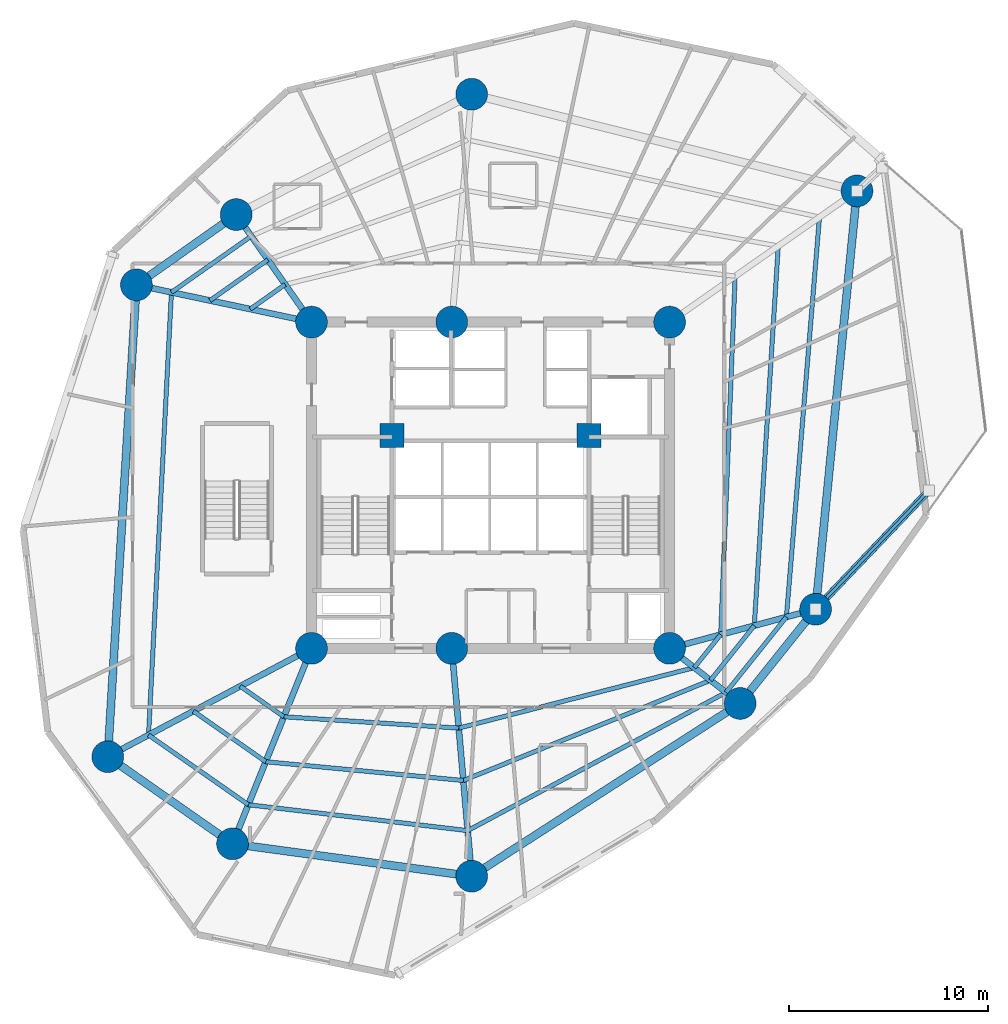
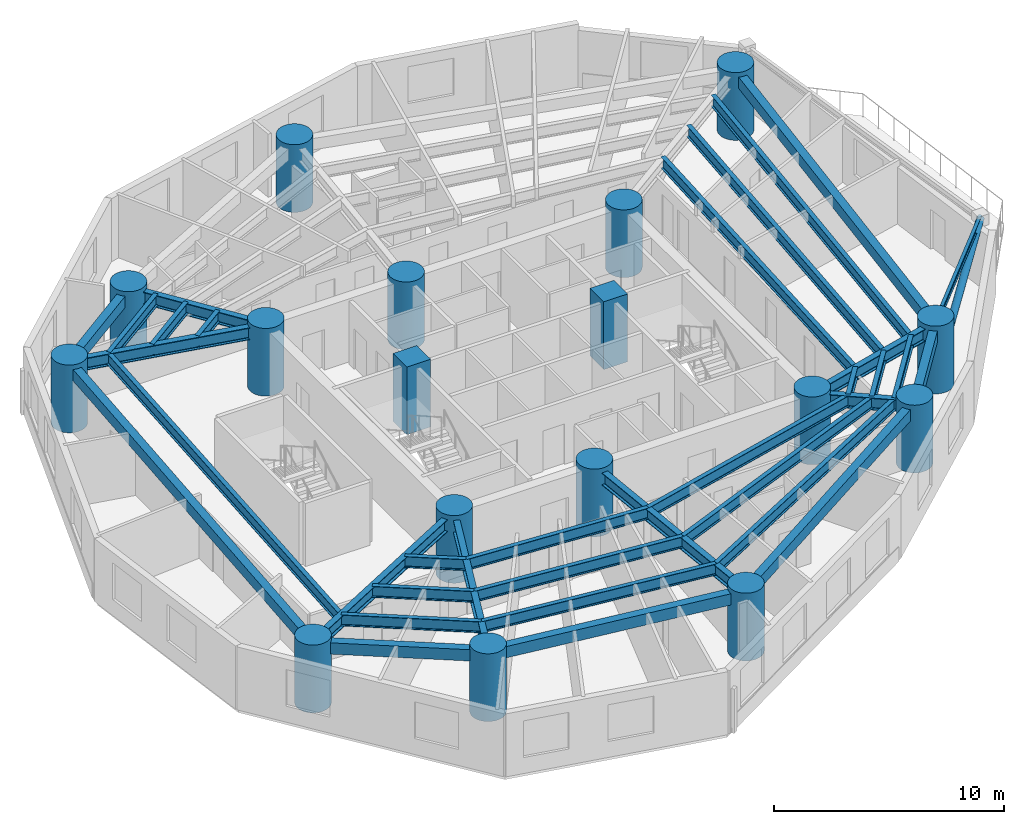
# One storey, part 1 of 10: 34 beams, 17 columns, 1 member.
"""IFC4 building model written with IfcOpenShell, lengths in metres."""

from ifc_helpers import new_model, si_unit, direction, frame, origin, origin_with_axes, origin_2d, place, context, subcontext, project, spatial, rectangle, circle, hollow_circle, i_section, extrude, source, transform, mapped, material, material_profile, profile_set, type_object, element, save


model = new_model("IFC4")

# Units and contexts
model_context = context("Model", 3, precision=1e-05, world=origin(), true_north=direction((0.0, 1.0)))
body_context = subcontext(model_context, "Body", "Model", "MODEL_VIEW")
ifc_project = project(units=[si_unit("LENGTHUNIT", "METRE"), si_unit("AREAUNIT", "SQUARE_METRE"), si_unit("VOLUMEUNIT", "CUBIC_METRE"), si_unit("PLANEANGLEUNIT", "RADIAN"), si_unit("MASSUNIT", "GRAM", prefix="KILO")], contexts=[model_context])

# Site, building, storey
site_placement = place(None, origin())
site = spatial("IfcSite", under=ifc_project, at=site_placement, CompositionType="ELEMENT")
building_placement = place(site_placement, origin())
building = spatial("IfcBuilding", under=site, at=building_placement, Name="Karkom Vertical University and Central Library", CompositionType="ELEMENT")
storey_placement = place(building_placement, frame((0.0, 0.0, 66.10009765625)))
storey = spatial("IfcBuildingStorey", under=building, at=storey_placement, Name="L17", CompositionType="ELEMENT", Elevation=66.10009765625)

# Columns
ifc_material_1 = material(Name="Concrete C50/60", Category="concrete")
ifc_material_profile_1 = material_profile(ifc_material_1, circle(Radius=0.800048828125, at=origin_2d()), Name="CFT-D1600")
ifc_profile_set_1 = profile_set([ifc_material_profile_1], Name="Concrete C50/60")
column_type_1 = type_object("IfcColumnType", Name="STR-COL-C-SC2", PredefinedType="COLUMN", material=ifc_profile_set_1)
shared_shape_1 = source(origin_with_axes(), body_context, "Body", "SweptSolid", [
    extrude(circle(Radius=0.800048828125, at=origin_2d()), origin(), (0.0, 0.0, 1.0), 3.599853515625),
])
for number, where, z_axis, x_axis, name in (
    (1, (19.5, 18.300048828125, 0.0), (0.0, 0.0, 1.0), (1.0, 0.0, 0.0), "Level 17 Spine Mega-Column SC-1"),
    (2, (26.550048828125, 18.300048828125, 0.0), (0.0, 0.0, 1.0), (1.0, 0.0, 0.0), "Level 17 Spine Mega-Column SC-2"),
    (3, (37.5, 18.300048828125, 0.0), (0.0, 0.0, 1.0), (1.0, 0.0, 0.0), "Level 17 Spine Mega-Column SC-3"),
    (4, (19.5, 34.699951171875, 0.0), (0.0, 0.0, 1.0), (1.0, 0.0, 0.0), "Level 17 Spine Mega-Column SC-4"),
    (5, (26.550048828125, 34.699951171875, 0.0), (0.0, 0.0, 1.0), (1.0, 0.0, 0.0), "Level 17 Spine Mega-Column SC-5"),
    (6, (37.5, 34.699951171875, 0.0), (0.0, 0.0, 1.0), (1.0, 0.0, 0.0), "Level 17 Spine Mega-Column SC-6"),
    (7, (44.841064453125, 20.26708984375, 0.0), (0.0, 0.0, 1.0), (1.0, 0.0, 0.0), "Level 17 Perimeter Mega-Column Z1-PC1"),
    (8, (46.919921875, 41.2958984375, 0.0), (0.0, 0.0, 1.0), (1.0, 0.0, 0.0), "Level 17 Perimeter Mega-Column Z1-PC2"),
    (9, (27.552001953125, 46.156005859375, 0.0), (0.0, 0.0, 1.0), (1.0, 0.0, 0.0), "Level 17 Perimeter Mega-Column Z1-PC3"),
    (10, (15.714111328125, 40.10595703125, 0.0), (0.0, 0.0, 1.0), (1.0, 0.0, 0.0), "Level 17 Perimeter Mega-Column Z1-PC4"),
    (11, (10.697021484375, 36.571044921875, 0.0), (0.0, 0.0, 1.0), (1.0, 0.0, 0.0), "Level 17 Perimeter Mega-Column Z1-PC5"),
    (12, (9.258056640625, 12.85400390625, 0.0), (0.0, 0.0, 1.0), (1.0, 0.0, 0.0), "Level 17 Perimeter Mega-Column Z1-PC6"),
    (13, (15.529052734375, 8.471923828125, 0.0), (0.0, 0.0, 1.0), (1.0, 0.0, 0.0), "Level 17 Perimeter Mega-Column Z1-PC7"),
    (14, (27.552001953125, 6.843994140625, 0.0), (0.0, 0.0, 1.0), (1.0, 0.0, 0.0), "Level 17 Perimeter Mega-Column Z1-PC8"),
    (15, (41.0458984375, 15.530029296875, 0.0), (0.0, 0.0, 1.0), (1.0, 0.0, 0.0), "Level 17 Perimeter Mega-Column Z1-PC9"),
):
    element("IfcColumn", number, at=place(storey_placement, frame(where, z_axis=z_axis, x_axis=x_axis)), inside=storey, type_object=column_type_1, Name=name, PredefinedType="COLUMN", context=body_context, shape_type="MappedRepresentation", body=[
        mapped(shared_shape_1, transform((0.0, 0.0, 0.0), scale=1.0)),
    ])
ifc_material_profile_2 = material_profile(ifc_material_1, rectangle(XDim=1.199951171875, YDim=1.199951171875, at=origin_2d()), Name="RC-1200x1200")
ifc_profile_set_2 = profile_set([ifc_material_profile_2], Name="Concrete C50/60")
column_type_2 = type_object("IfcColumnType", Name="STR-COL-C-CC1", PredefinedType="COLUMN", material=ifc_profile_set_2)
shared_shape_2 = source(origin_with_axes(), body_context, "Body", "SweptSolid", [
    extrude(rectangle(XDim=1.199951171875, YDim=1.199951171875, at=origin_2d()), origin(), (0.0, 0.0, 1.0), 3.599853515625),
])
for number, where, z_axis, x_axis, name in (
    (16, (23.550048828125, 29.0, 0.0), (0.0, 0.0, 1.0), (1.0, 0.0, 0.0), "Level 17 Core Node Column CC-1"),
    (17, (33.449951171875, 29.0, 0.0), (0.0, 0.0, 1.0), (1.0, 0.0, 0.0), "Level 17 Core Node Column CC-2"),
):
    element("IfcColumn", number, at=place(storey_placement, frame(where, z_axis=z_axis, x_axis=x_axis)), inside=storey, type_object=column_type_2, Name=name, PredefinedType="COLUMN", context=body_context, shape_type="MappedRepresentation", body=[
        mapped(shared_shape_2, transform((0.0, 0.0, 0.0), scale=1.0)),
    ])

# Beams
ifc_material_2 = material(Name="Steel S355", Category="steel")
ifc_material_profile_3 = material_profile(ifc_material_2, i_section(OverallWidth=0.300048828125, OverallDepth=0.64990234375, WebThickness=0.01611328125, FlangeThickness=0.031005859375, FilletRadius=0.027099609375, at=origin_2d()), Name="HE 650 B")
ifc_profile_set_3 = profile_set([ifc_material_profile_3], Name="Steel S355")
beam_type_1 = type_object("IfcBeamType", Name="STR-BM-SB-HE650", PredefinedType="USERDEFINED", material=ifc_profile_set_3)
shared_shape_3 = source(origin_with_axes(), body_context, "Body", "SweptSolid", [
    extrude(i_section(OverallWidth=0.300048828125, OverallDepth=0.64990234375, WebThickness=0.01611328125, FlangeThickness=0.031005859375, FilletRadius=0.027099609375, at=origin_2d()), origin(), (0.0, 0.0, 1.0), 7.60009765625),
])
beam_1_placement = place(storey_placement, frame((37.5, 18.300048828125, 3.02490234375), z_axis=(0.965925539322, 0.258820116077, 0.0), x_axis=(-0.258820116077, 0.965925539322, 0.0)))
element("IfcBeam", 18, at=beam_1_placement, inside=storey, type_object=beam_type_1, Name="Level 17 Radial Frame Girder 01", ObjectType="GIRDER", PredefinedType="USERDEFINED", context=body_context, shape_type="MappedRepresentation", body=[
    mapped(shared_shape_3, transform((0.0, 0.0, 0.0), scale=1.0)),
])
shared_shape_4 = source(origin_with_axes(), body_context, "Body", "SweptSolid", [
    extrude(i_section(OverallWidth=0.300048828125, OverallDepth=0.64990234375, WebThickness=0.01611328125, FlangeThickness=0.031005859375, FilletRadius=0.027099609375, at=origin_2d()), origin(), (0.0, 0.0, 1.0), 11.499755859375),
])
beam_2_placement = place(storey_placement, frame((26.550048828125, 18.300048828125, 3.02490234375), z_axis=(0.087127973109, -0.99619712723, 0.0), x_axis=(0.99619712723, 0.087127973109, 0.0)))
element("IfcBeam", 19, at=beam_2_placement, inside=storey, type_object=beam_type_1, Name="Level 17 Radial Frame Girder 08", ObjectType="GIRDER", PredefinedType="USERDEFINED", context=body_context, shape_type="MappedRepresentation", body=[
    mapped(shared_shape_4, transform((0.0, 0.0, 0.0), scale=1.0)),
])
shared_shape_5 = source(origin_with_axes(), body_context, "Body", "SweptSolid", [
    extrude(i_section(OverallWidth=0.300048828125, OverallDepth=0.64990234375, WebThickness=0.01611328125, FlangeThickness=0.031005859375, FilletRadius=0.027099609375, at=origin_2d()), origin(), (0.0, 0.0, 1.0), 6.599853515625),
])
beam_3_placement = place(storey_placement, frame((19.5, 34.699951171875, 3.02490234375), z_axis=(-0.573633636671, 0.819111989218, 0.0), x_axis=(-0.819111989218, -0.573633636671, 0.0)))
element("IfcBeam", 20, at=beam_3_placement, inside=storey, type_object=beam_type_1, Name="Level 17 Radial Frame Girder 04", ObjectType="GIRDER", PredefinedType="USERDEFINED", context=body_context, shape_type="MappedRepresentation", body=[
    mapped(shared_shape_5, transform((0.0, 0.0, 0.0), scale=1.0)),
])
shared_shape_6 = source(origin_with_axes(), body_context, "Body", "SweptSolid", [
    extrude(i_section(OverallWidth=0.300048828125, OverallDepth=0.64990234375, WebThickness=0.01611328125, FlangeThickness=0.031005859375, FilletRadius=0.027099609375, at=origin_2d()), origin(), (0.0, 0.0, 1.0), 8.999755859375),
])
beam_4_placement = place(storey_placement, frame((19.5, 34.699951171875, 3.02490234375), z_axis=(-0.978148438993, 0.207907747079, 0.0), x_axis=(-0.207907747079, -0.978148438993, 0.0)))
element("IfcBeam", 21, at=beam_4_placement, inside=storey, type_object=beam_type_1, Name="Level 17 Radial Frame Girder 05", ObjectType="GIRDER", PredefinedType="USERDEFINED", context=body_context, shape_type="MappedRepresentation", body=[
    mapped(shared_shape_6, transform((0.0, 0.0, 0.0), scale=1.0)),
])
shared_shape_7 = source(origin_with_axes(), body_context, "Body", "SweptSolid", [
    extrude(i_section(OverallWidth=0.300048828125, OverallDepth=0.64990234375, WebThickness=0.01611328125, FlangeThickness=0.031005859375, FilletRadius=0.027099609375, at=origin_2d()), origin(), (0.0, 0.0, 1.0), 11.599853515625),
])
beam_5_placement = place(storey_placement, frame((19.5, 18.300048828125, 3.02490234375), z_axis=(-0.882936620635, -0.469492197957, 0.0), x_axis=(0.469492197957, -0.882936620635, 0.0)))
element("IfcBeam", 22, at=beam_5_placement, inside=storey, type_object=beam_type_1, Name="Level 17 Radial Frame Girder 06", ObjectType="GIRDER", PredefinedType="USERDEFINED", context=body_context, shape_type="MappedRepresentation", body=[
    mapped(shared_shape_7, transform((0.0, 0.0, 0.0), scale=1.0)),
])
shared_shape_8 = source(origin_with_axes(), body_context, "Body", "SweptSolid", [
    extrude(i_section(OverallWidth=0.300048828125, OverallDepth=0.64990234375, WebThickness=0.01611328125, FlangeThickness=0.031005859375, FilletRadius=0.027099609375, at=origin_2d()), origin(), (0.0, 0.0, 1.0), 10.60009765625),
])
beam_6_placement = place(storey_placement, frame((19.5, 18.300048828125, 3.02490234375), z_axis=(-0.374616894394, -0.927179692635, 0.0), x_axis=(0.927179692635, -0.374616894394, 0.0)))
element("IfcBeam", 23, at=beam_6_placement, inside=storey, type_object=beam_type_1, Name="Level 17 Radial Frame Girder 07", ObjectType="GIRDER", PredefinedType="USERDEFINED", context=body_context, shape_type="MappedRepresentation", body=[
    mapped(shared_shape_8, transform((0.0, 0.0, 0.0), scale=1.0)),
])
shared_shape_9 = source(origin_with_axes(), body_context, "Body", "SweptSolid", [
    extrude(i_section(OverallWidth=0.300048828125, OverallDepth=0.64990234375, WebThickness=0.01611328125, FlangeThickness=0.031005859375, FilletRadius=0.027099609375, at=origin_2d()), origin(), (0.0, 0.0, 1.0), 4.49951171875),
])
beam_7_placement = place(storey_placement, frame((37.5, 18.300048828125, 3.02490234375), z_axis=(0.788047405801, -0.615614559778, 0.0), x_axis=(0.615614559778, 0.788047405801, 0.0)))
element("IfcBeam", 24, at=beam_7_placement, inside=storey, type_object=beam_type_1, Name="Level 17 Radial Frame Girder 09", ObjectType="GIRDER", PredefinedType="USERDEFINED", context=body_context, shape_type="MappedRepresentation", body=[
    mapped(shared_shape_9, transform((0.0, 0.0, 0.0), scale=1.0)),
])
ifc_material_3 = material(Name="Precast concrete C45/55", Category="concrete")
ifc_material_profile_4 = material_profile(ifc_material_3, rectangle(XDim=0.39990234375, YDim=0.60009765625, at=origin_2d()), Name="SPB-400x600")
ifc_profile_set_4 = profile_set([ifc_material_profile_4], Name="Precast concrete C45/55")
beam_type_2 = type_object("IfcBeamType", Name="STR-BM-SP-1", PredefinedType="SPANDREL", material=ifc_profile_set_4)
shared_shape_10 = source(origin_with_axes(), body_context, "Body", "SweptSolid", [
    extrude(rectangle(XDim=0.39990234375, YDim=0.60009765625, at=origin_2d()), origin(), (0.0, 0.0, 1.0), 21.13134765625),
])
beam_8_placement = place(storey_placement, frame((44.841064453125, 20.26708984375, 3.0498046875), z_axis=(0.0983780471, 0.995149114379, 0.0), x_axis=(-0.995149114379, 0.0983780471, 0.0)))
element("IfcBeam", 25, at=beam_8_placement, inside=storey, type_object=beam_type_2, Name="Level 17 Perimeter Spandrel Beam 01", PredefinedType="SPANDREL", context=body_context, shape_type="MappedRepresentation", body=[
    mapped(shared_shape_10, transform((0.0, 0.0, 0.0), scale=1.0)),
])
shared_shape_11 = source(origin_with_axes(), body_context, "Body", "SweptSolid", [
    extrude(rectangle(XDim=0.39990234375, YDim=0.60009765625, at=origin_2d()), origin(), (0.0, 0.0, 1.0), 6.13720703125),
])
beam_9_placement = place(storey_placement, frame((15.714111328125, 40.10595703125, 3.0498046875), z_axis=(-0.817471365538, -0.575969240955, 0.0), x_axis=(0.575969240955, -0.817471365538, 0.0)))
element("IfcBeam", 26, at=beam_9_placement, inside=storey, type_object=beam_type_2, Name="Level 17 Perimeter Spandrel Beam 04", PredefinedType="SPANDREL", context=body_context, shape_type="MappedRepresentation", body=[
    mapped(shared_shape_11, transform((0.0, 0.0, 0.0), scale=1.0)),
])
shared_shape_12 = source(origin_with_axes(), body_context, "Body", "SweptSolid", [
    extrude(rectangle(XDim=0.39990234375, YDim=0.60009765625, at=origin_2d()), origin(), (0.0, 0.0, 1.0), 23.7607421875),
])
beam_10_placement = place(storey_placement, frame((10.697021484375, 36.571044921875, 3.0498046875), z_axis=(-0.060560827767, -0.998164508556, 0.0), x_axis=(0.998164508556, -0.060560827767, 0.0)))
element("IfcBeam", 27, at=beam_10_placement, inside=storey, type_object=beam_type_2, Name="Level 17 Perimeter Spandrel Beam 05", PredefinedType="SPANDREL", context=body_context, shape_type="MappedRepresentation", body=[
    mapped(shared_shape_12, transform((0.0, 0.0, 0.0), scale=1.0)),
])
shared_shape_13 = source(origin_with_axes(), body_context, "Body", "SweptSolid", [
    extrude(rectangle(XDim=0.39990234375, YDim=0.60009765625, at=origin_2d()), origin(), (0.0, 0.0, 1.0), 7.650390625),
])
beam_11_placement = place(storey_placement, frame((9.258056640625, 12.85400390625, 3.0498046875), z_axis=(0.819699409527, -0.572793922822, 0.0), x_axis=(0.572793922822, 0.819699409527, 0.0)))
element("IfcBeam", 28, at=beam_11_placement, inside=storey, type_object=beam_type_2, Name="Level 17 Perimeter Spandrel Beam 06", PredefinedType="SPANDREL", context=body_context, shape_type="MappedRepresentation", body=[
    mapped(shared_shape_13, transform((0.0, 0.0, 0.0), scale=1.0)),
])
shared_shape_14 = source(origin_with_axes(), body_context, "Body", "SweptSolid", [
    extrude(rectangle(XDim=0.39990234375, YDim=0.60009765625, at=origin_2d()), origin(), (0.0, 0.0, 1.0), 12.132568359375),
])
beam_12_placement = place(storey_placement, frame((15.529052734375, 8.471923828125, 3.0498046875), z_axis=(0.990957319008, -0.134177464223, 0.0), x_axis=(0.134177464223, 0.990957319008, 0.0)))
element("IfcBeam", 29, at=beam_12_placement, inside=storey, type_object=beam_type_2, Name="Level 17 Perimeter Spandrel Beam 07", PredefinedType="SPANDREL", context=body_context, shape_type="MappedRepresentation", body=[
    mapped(shared_shape_14, transform((0.0, 0.0, 0.0), scale=1.0)),
])
shared_shape_15 = source(origin_with_axes(), body_context, "Body", "SweptSolid", [
    extrude(rectangle(XDim=0.39990234375, YDim=0.60009765625, at=origin_2d()), origin(), (0.0, 0.0, 1.0), 16.0478515625),
])
beam_13_placement = place(storey_placement, frame((27.552001953125, 6.843994140625, 3.0498046875), z_axis=(0.84085555045, 0.541259589548, 0.0), x_axis=(-0.541259589548, 0.84085555045, 0.0)))
element("IfcBeam", 30, at=beam_13_placement, inside=storey, type_object=beam_type_2, Name="Level 17 Perimeter Spandrel Beam 08", PredefinedType="SPANDREL", context=body_context, shape_type="MappedRepresentation", body=[
    mapped(shared_shape_15, transform((0.0, 0.0, 0.0), scale=1.0)),
])
shared_shape_16 = source(origin_with_axes(), body_context, "Body", "SweptSolid", [
    extrude(rectangle(XDim=0.39990234375, YDim=0.60009765625, at=origin_2d()), origin(), (0.0, 0.0, 1.0), 6.06982421875),
])
beam_14_placement = place(storey_placement, frame((41.0458984375, 15.530029296875, 3.0498046875), z_axis=(0.625249167344, 0.780425190992, 0.0), x_axis=(-0.780425190992, 0.625249167344, 0.0)))
element("IfcBeam", 31, at=beam_14_placement, inside=storey, type_object=beam_type_2, Name="Level 17 Perimeter Spandrel Beam 09", PredefinedType="SPANDREL", context=body_context, shape_type="MappedRepresentation", body=[
    mapped(shared_shape_16, transform((0.0, 0.0, 0.0), scale=1.0)),
])
ifc_material_profile_5 = material_profile(ifc_material_2, i_section(OverallWidth=0.219970703125, OverallDepth=0.60009765625, WebThickness=0.011962890625, FlangeThickness=0.01904296875, FilletRadius=0.02392578125, at=origin_2d()), Name="IPE 600")
ifc_profile_set_5 = profile_set([ifc_material_profile_5], Name="Steel S355")
beam_type_3 = type_object("IfcBeamType", Name="STR-BM-SB-IPE600", PredefinedType="BEAM", material=ifc_profile_set_5)
shared_shape_17 = source(origin_with_axes(), body_context, "Body", "SweptSolid", [
    extrude(i_section(OverallWidth=0.219970703125, OverallDepth=0.60009765625, WebThickness=0.011962890625, FlangeThickness=0.01904296875, FilletRadius=0.02392578125, at=origin_2d()), origin(), (0.0, 0.0, 1.0), 18.03466796875),
])
beam_15_placement = place(storey_placement, frame((40.0693359375, 18.988525390625, 3.0498046875), z_axis=(0.04035458262, 0.999185422062, 0.0), x_axis=(-0.999185422062, 0.04035458262, 0.0)))
element("IfcBeam", 32, at=beam_15_placement, inside=storey, type_object=beam_type_3, Name="Level 17 Secondary Composite Floor Beam 1.01", PredefinedType="BEAM", context=body_context, shape_type="MappedRepresentation", body=[
    mapped(shared_shape_17, transform((0.0, 0.0, 0.0), scale=1.0)),
])
shared_shape_18 = source(origin_with_axes(), body_context, "Body", "SweptSolid", [
    extrude(i_section(OverallWidth=0.219970703125, OverallDepth=0.60009765625, WebThickness=0.011962890625, FlangeThickness=0.01904296875, FilletRadius=0.02392578125, at=origin_2d()), origin(), (0.0, 0.0, 1.0), 2.14794921875),
])
beam_16_placement = place(storey_placement, frame((18.1748046875, 36.592041015625, 3.0498046875), z_axis=(-0.817433780971, -0.576022580918, 0.0), x_axis=(0.576022580918, -0.817433780971, 0.0)))
element("IfcBeam", 33, at=beam_16_placement, inside=storey, type_object=beam_type_3, Name="Level 17 Secondary Composite Floor Beam 1.04", PredefinedType="BEAM", context=body_context, shape_type="MappedRepresentation", body=[
    mapped(shared_shape_18, transform((0.0, 0.0, 0.0), scale=1.0)),
])
shared_shape_19 = source(origin_with_axes(), body_context, "Body", "SweptSolid", [
    extrude(i_section(OverallWidth=0.219970703125, OverallDepth=0.60009765625, WebThickness=0.011962890625, FlangeThickness=0.01904296875, FilletRadius=0.02392578125, at=origin_2d()), origin(), (0.0, 0.0, 1.0), 2.677490234375),
])
beam_17_placement = place(storey_placement, frame((15.915283203125, 16.393798828125, 3.0498046875), z_axis=(0.819702839548, -0.572789014243, 0.0), x_axis=(0.572789014243, 0.819702839548, 0.0)))
element("IfcBeam", 34, at=beam_17_placement, inside=storey, type_object=beam_type_3, Name="Level 17 Secondary Composite Floor Beam 1.06", PredefinedType="BEAM", context=body_context, shape_type="MappedRepresentation", body=[
    mapped(shared_shape_19, transform((0.0, 0.0, 0.0), scale=1.0)),
])
shared_shape_20 = source(origin_with_axes(), body_context, "Body", "SweptSolid", [
    extrude(i_section(OverallWidth=0.219970703125, OverallDepth=0.60009765625, WebThickness=0.011962890625, FlangeThickness=0.01904296875, FilletRadius=0.02392578125, at=origin_2d()), origin(), (0.0, 0.0, 1.0), 8.80908203125),
])
beam_18_placement = place(storey_placement, frame((18.110107421875, 14.860107421875, 3.0498046875), z_axis=(0.997905617906, -0.064686766433, 0.0), x_axis=(0.064686766433, 0.997905617906, 0.0)))
element("IfcBeam", 35, at=beam_18_placement, inside=storey, type_object=beam_type_3, Name="Level 17 Secondary Composite Floor Beam 1.07", PredefinedType="BEAM", context=body_context, shape_type="MappedRepresentation", body=[
    mapped(shared_shape_20, transform((0.0, 0.0, 0.0), scale=1.0)),
])
shared_shape_21 = source(origin_with_axes(), body_context, "Body", "SweptSolid", [
    extrude(i_section(OverallWidth=0.219970703125, OverallDepth=0.60009765625, WebThickness=0.011962890625, FlangeThickness=0.01904296875, FilletRadius=0.02392578125, at=origin_2d()), origin(), (0.0, 0.0, 1.0), 12.224609375),
])
beam_19_placement = place(storey_placement, frame((26.900634765625, 14.290283203125, 3.0498046875), z_axis=(0.968580403264, 0.248700628092, 0.0), x_axis=(-0.248700628092, 0.968580403264, 0.0)))
element("IfcBeam", 36, at=beam_19_placement, inside=storey, type_object=beam_type_3, Name="Level 17 Secondary Composite Floor Beam 1.08", PredefinedType="BEAM", context=body_context, shape_type="MappedRepresentation", body=[
    mapped(shared_shape_21, transform((0.0, 0.0, 0.0), scale=1.0)),
])
shared_shape_22 = source(origin_with_axes(), body_context, "Body", "SweptSolid", [
    extrude(i_section(OverallWidth=0.219970703125, OverallDepth=0.60009765625, WebThickness=0.011962890625, FlangeThickness=0.01904296875, FilletRadius=0.02392578125, at=origin_2d()), origin(), (0.0, 0.0, 1.0), 2.124267578125),
])
beam_20_placement = place(storey_placement, frame((38.7412109375, 17.33056640625, 3.0498046875), z_axis=(0.625199471959, 0.780465002587, 0.0), x_axis=(-0.780465002587, 0.625199471959, 0.0)))
element("IfcBeam", 37, at=beam_20_placement, inside=storey, type_object=beam_type_3, Name="Level 17 Secondary Composite Floor Beam 1.09", PredefinedType="BEAM", context=body_context, shape_type="MappedRepresentation", body=[
    mapped(shared_shape_22, transform((0.0, 0.0, 0.0), scale=1.0)),
])
shared_shape_23 = source(origin_with_axes(), body_context, "Body", "SweptSolid", [
    extrude(i_section(OverallWidth=0.219970703125, OverallDepth=0.60009765625, WebThickness=0.011962890625, FlangeThickness=0.01904296875, FilletRadius=0.02392578125, at=origin_2d()), origin(), (0.0, 0.0, 1.0), 19.122802734375),
])
beam_21_placement = place(storey_placement, frame((41.7578125, 19.44091796875, 3.0498046875), z_axis=(0.063056264597, 0.998009973645, 0.0), x_axis=(-0.998009973645, 0.063056264597, 0.0)))
element("IfcBeam", 38, at=beam_21_placement, inside=storey, type_object=beam_type_3, Name="Level 17 Secondary Composite Floor Beam 2.01", PredefinedType="BEAM", context=body_context, shape_type="MappedRepresentation", body=[
    mapped(shared_shape_23, transform((0.0, 0.0, 0.0), scale=1.0)),
])
shared_shape_24 = source(origin_with_axes(), body_context, "Body", "SweptSolid", [
    extrude(i_section(OverallWidth=0.219970703125, OverallDepth=0.60009765625, WebThickness=0.011962890625, FlangeThickness=0.01904296875, FilletRadius=0.02392578125, at=origin_2d()), origin(), (0.0, 0.0, 1.0), 3.5595703125),
])
beam_22_placement = place(storey_placement, frame((17.30419921875, 37.83544921875, 3.0498046875), z_axis=(-0.817465552849, -0.575977490798, 0.0), x_axis=(0.575977490798, -0.817465552849, 0.0)))
element("IfcBeam", 39, at=beam_22_placement, inside=storey, type_object=beam_type_3, Name="Level 17 Secondary Composite Floor Beam 2.04", PredefinedType="BEAM", context=body_context, shape_type="MappedRepresentation", body=[
    mapped(shared_shape_24, transform((0.0, 0.0, 0.0), scale=1.0)),
])
shared_shape_25 = source(origin_with_axes(), body_context, "Body", "SweptSolid", [
    extrude(i_section(OverallWidth=0.219970703125, OverallDepth=0.60009765625, WebThickness=0.011962890625, FlangeThickness=0.01904296875, FilletRadius=0.02392578125, at=origin_2d()), origin(), (0.0, 0.0, 1.0), 4.437255859375),
])
beam_23_placement = place(storey_placement, frame((13.5595703125, 15.141357421875, 3.0498046875), z_axis=(0.819712425733, -0.572775295468, 0.0), x_axis=(0.572775295468, 0.819712425733, 0.0)))
element("IfcBeam", 40, at=beam_23_placement, inside=storey, type_object=beam_type_3, Name="Level 17 Secondary Composite Floor Beam 2.06", PredefinedType="BEAM", context=body_context, shape_type="MappedRepresentation", body=[
    mapped(shared_shape_25, transform((0.0, 0.0, 0.0), scale=1.0)),
])
shared_shape_26 = source(origin_with_axes(), body_context, "Body", "SweptSolid", [
    extrude(i_section(OverallWidth=0.219970703125, OverallDepth=0.60009765625, WebThickness=0.011962890625, FlangeThickness=0.01904296875, FilletRadius=0.02392578125, at=origin_2d()), origin(), (0.0, 0.0, 1.0), 9.97900390625),
])
beam_24_placement = place(storey_placement, frame((17.19677734375, 12.599853515625, 3.0498046875), z_axis=(0.995512389915, -0.094631292526, 0.0), x_axis=(0.094631292526, 0.995512389915, 0.0)))
element("IfcBeam", 41, at=beam_24_placement, inside=storey, type_object=beam_type_3, Name="Level 17 Secondary Composite Floor Beam 2.07", PredefinedType="BEAM", context=body_context, shape_type="MappedRepresentation", body=[
    mapped(shared_shape_26, transform((0.0, 0.0, 0.0), scale=1.0)),
])
shared_shape_27 = source(origin_with_axes(), body_context, "Body", "SweptSolid", [
    extrude(i_section(OverallWidth=0.219970703125, OverallDepth=0.60009765625, WebThickness=0.011962890625, FlangeThickness=0.01904296875, FilletRadius=0.02392578125, at=origin_2d()), origin(), (0.0, 0.0, 1.0), 13.407958984375),
])
beam_25_placement = place(storey_placement, frame((27.131103515625, 11.655517578125, 3.0498046875), z_axis=(0.926727273371, 0.375734694685, 0.0), x_axis=(-0.375734694685, 0.926727273371, 0.0)))
element("IfcBeam", 42, at=beam_25_placement, inside=storey, type_object=beam_type_3, Name="Level 17 Secondary Composite Floor Beam 2.08", PredefinedType="BEAM", context=body_context, shape_type="MappedRepresentation", body=[
    mapped(shared_shape_27, transform((0.0, 0.0, 0.0), scale=1.0)),
])
shared_shape_28 = source(origin_with_axes(), body_context, "Body", "SweptSolid", [
    extrude(i_section(OverallWidth=0.219970703125, OverallDepth=0.60009765625, WebThickness=0.011962890625, FlangeThickness=0.01904296875, FilletRadius=0.02392578125, at=origin_2d()), origin(), (0.0, 0.0, 1.0), 3.5205078125),
])
beam_26_placement = place(storey_placement, frame((39.556640625, 16.693359375, 3.0498046875), z_axis=(0.62523614548, 0.780435623473, 0.0), x_axis=(-0.780435623473, 0.62523614548, 0.0)))
element("IfcBeam", 43, at=beam_26_placement, inside=storey, type_object=beam_type_3, Name="Level 17 Secondary Composite Floor Beam 2.09", PredefinedType="BEAM", context=body_context, shape_type="MappedRepresentation", body=[
    mapped(shared_shape_28, transform((0.0, 0.0, 0.0), scale=1.0)),
])
shared_shape_29 = source(origin_with_axes(), body_context, "Body", "SweptSolid", [
    extrude(i_section(OverallWidth=0.219970703125, OverallDepth=0.60009765625, WebThickness=0.011962890625, FlangeThickness=0.01904296875, FilletRadius=0.02392578125, at=origin_2d()), origin(), (0.0, 0.0, 1.0), 20.171875),
])
beam_27_placement = place(storey_placement, frame((43.372802734375, 19.87353515625, 3.0498046875), z_axis=(0.082445490935, 0.996595575459, 0.0), x_axis=(-0.996595575459, 0.082445490935, 0.0)))
element("IfcBeam", 44, at=beam_27_placement, inside=storey, type_object=beam_type_3, Name="Level 17 Secondary Composite Floor Beam 3.01", PredefinedType="BEAM", context=body_context, shape_type="MappedRepresentation", body=[
    mapped(shared_shape_29, transform((0.0, 0.0, 0.0), scale=1.0)),
])
shared_shape_30 = source(origin_with_axes(), body_context, "Body", "SweptSolid", [
    extrude(i_section(OverallWidth=0.219970703125, OverallDepth=0.60009765625, WebThickness=0.011962890625, FlangeThickness=0.01904296875, FilletRadius=0.02392578125, at=origin_2d()), origin(), (0.0, 0.0, 1.0), 4.909912109375),
])
beam_28_placement = place(storey_placement, frame((16.47119140625, 39.02490234375, 3.0498046875), z_axis=(-0.817452635759, -0.575995823153, 0.0), x_axis=(0.575995823153, -0.817452635759, 0.0)))
element("IfcBeam", 45, at=beam_28_placement, inside=storey, type_object=beam_type_3, Name="Level 17 Secondary Composite Floor Beam 3.04", PredefinedType="BEAM", context=body_context, shape_type="MappedRepresentation", body=[
    mapped(shared_shape_30, transform((0.0, 0.0, 0.0), scale=1.0)),
])
shared_shape_31 = source(origin_with_axes(), body_context, "Body", "SweptSolid", [
    extrude(i_section(OverallWidth=0.219970703125, OverallDepth=0.60009765625, WebThickness=0.011962890625, FlangeThickness=0.01904296875, FilletRadius=0.02392578125, at=origin_2d()), origin(), (0.0, 0.0, 1.0), 22.283447265625),
])
beam_29_placement = place(storey_placement, frame((12.45751953125, 36.19677734375, 3.0498046875), z_axis=(-0.051658288147, -0.998664819279, 0.0), x_axis=(0.998664819279, -0.051658288147, 0.0)))
element("IfcBeam", 46, at=beam_29_placement, inside=storey, type_object=beam_type_3, Name="Level 17 Secondary Composite Floor Beam 3.05", PredefinedType="BEAM", context=body_context, shape_type="MappedRepresentation", body=[
    mapped(shared_shape_31, transform((0.0, 0.0, 0.0), scale=1.0)),
])
shared_shape_32 = source(origin_with_axes(), body_context, "Body", "SweptSolid", [
    extrude(i_section(OverallWidth=0.219970703125, OverallDepth=0.60009765625, WebThickness=0.011962890625, FlangeThickness=0.01904296875, FilletRadius=0.02392578125, at=origin_2d()), origin(), (0.0, 0.0, 1.0), 6.120361328125),
])
beam_30_placement = place(storey_placement, frame((11.306396484375, 13.943115234375, 3.0498046875), z_axis=(0.81970577287, -0.572784816422, 0.0), x_axis=(0.572784816422, 0.81970577287, 0.0)))
element("IfcBeam", 47, at=beam_30_placement, inside=storey, type_object=beam_type_3, Name="Level 17 Secondary Composite Floor Beam 3.06", PredefinedType="BEAM", context=body_context, shape_type="MappedRepresentation", body=[
    mapped(shared_shape_32, transform((0.0, 0.0, 0.0), scale=1.0)),
])
shared_shape_33 = source(origin_with_axes(), body_context, "Body", "SweptSolid", [
    extrude(i_section(OverallWidth=0.219970703125, OverallDepth=0.60009765625, WebThickness=0.011962890625, FlangeThickness=0.01904296875, FilletRadius=0.02392578125, at=origin_2d()), origin(), (0.0, 0.0, 1.0), 11.10498046875),
])
beam_31_placement = place(storey_placement, frame((16.3232421875, 10.4375, 3.0498046875), z_axis=(0.993100390447, -0.117267278018, 0.0), x_axis=(0.117267278018, 0.993100390447, 0.0)))
element("IfcBeam", 48, at=beam_31_placement, inside=storey, type_object=beam_type_3, Name="Level 17 Secondary Composite Floor Beam 3.07", PredefinedType="BEAM", context=body_context, shape_type="MappedRepresentation", body=[
    mapped(shared_shape_33, transform((0.0, 0.0, 0.0), scale=1.0)),
])
shared_shape_34 = source(origin_with_axes(), body_context, "Body", "SweptSolid", [
    extrude(i_section(OverallWidth=0.219970703125, OverallDepth=0.60009765625, WebThickness=0.011962890625, FlangeThickness=0.01904296875, FilletRadius=0.02392578125, at=origin_2d()), origin(), (0.0, 0.0, 1.0), 14.727783203125),
])
beam_32_placement = place(storey_placement, frame((27.3515625, 9.13525390625, 3.0498046875), z_axis=(0.881697726656, 0.471814708131, 0.0), x_axis=(-0.471814708131, 0.881697726656, 0.0)))
element("IfcBeam", 49, at=beam_32_placement, inside=storey, type_object=beam_type_3, Name="Level 17 Secondary Composite Floor Beam 3.08", PredefinedType="BEAM", context=body_context, shape_type="MappedRepresentation", body=[
    mapped(shared_shape_34, transform((0.0, 0.0, 0.0), scale=1.0)),
])
shared_shape_35 = source(origin_with_axes(), body_context, "Body", "SweptSolid", [
    extrude(i_section(OverallWidth=0.219970703125, OverallDepth=0.60009765625, WebThickness=0.011962890625, FlangeThickness=0.01904296875, FilletRadius=0.02392578125, at=origin_2d()), origin(), (0.0, 0.0, 1.0), 4.855712890625),
])
beam_33_placement = place(storey_placement, frame((40.3369140625, 16.083984375, 3.0498046875), z_axis=(0.62522835738, 0.780441862747, 0.0), x_axis=(-0.780441862747, 0.62522835738, 0.0)))
element("IfcBeam", 50, at=beam_33_placement, inside=storey, type_object=beam_type_3, Name="Level 17 Secondary Composite Floor Beam 3.09", PredefinedType="BEAM", context=body_context, shape_type="MappedRepresentation", body=[
    mapped(shared_shape_35, transform((0.0, 0.0, 0.0), scale=1.0)),
])
ifc_material_profile_6 = material_profile(ifc_material_2, i_section(OverallWidth=0.159912109375, OverallDepth=0.330078125, WebThickness=0.007568359375, FlangeThickness=0.011474609375, FilletRadius=0.01806640625, at=origin_2d()), Name="IPE 330")
ifc_profile_set_6 = profile_set([ifc_material_profile_6], Name="Steel S355")
beam_type_4 = type_object("IfcBeamType", Name="STR-BM-SB-IPE330", PredefinedType="BEAM", material=ifc_profile_set_6)
shared_shape_36 = source(origin_with_axes(), body_context, "Body", "SweptSolid", [
    extrude(i_section(OverallWidth=0.159912109375, OverallDepth=0.330078125, WebThickness=0.007568359375, FlangeThickness=0.011474609375, FilletRadius=0.01806640625, at=origin_2d()), origin(), (0.0, 0.0, 1.0), 8.258056640625),
])
beam_34_placement = place(storey_placement, frame((44.841064453125, 20.26708984375, 3.184814453125), z_axis=(0.690342138908, 0.723483055259, 0.0), x_axis=(-0.723483055259, 0.690342138908, 0.0)))
element("IfcBeam", 51, at=beam_34_placement, inside=storey, type_object=beam_type_4, Name="Level 17 Sky Garden Outrigger Support Beam 1", PredefinedType="BEAM", context=body_context, shape_type="MappedRepresentation", body=[
    mapped(shared_shape_36, transform((0.0, 0.0, 0.0), scale=1.0)),
])

# Member
ifc_material_profile_7 = material_profile(ifc_material_2, hollow_circle(Radius=0.177734375, WallThickness=0.01611328125, at=origin_2d()), Name="CHS 355.6x16")
ifc_profile_set_7 = profile_set([ifc_material_profile_7], Name="Steel S355")
member_type = type_object("IfcMemberType", Name="STR-MEM-BR-3", PredefinedType="BRACE", material=ifc_profile_set_7)
shared_shape_37 = source(origin_with_axes(), body_context, "Body", "SweptSolid", [
    extrude(hollow_circle(Radius=0.177734375, WallThickness=0.01611328125, at=origin_2d()), origin(), (0.0, 0.0, 1.0), 8.731201171875),
])
member_placement = place(storey_placement, frame((44.841064453125, 20.26708984375, 0.349853515625), z_axis=(0.652938833036, 0.684284147234, 0.324693834492), x_axis=(-0.723483055259, 0.690342138908, 0.0)))
element("IfcMember", 52, at=member_placement, inside=storey, type_object=member_type, Name="Level 17 Sky Garden Knee Strut Brace 1", PredefinedType="BRACE", context=body_context, shape_type="MappedRepresentation", body=[
    mapped(shared_shape_37, transform((0.0, 0.0, 0.0), scale=1.0)),
])

save(model, "model.ifc")
